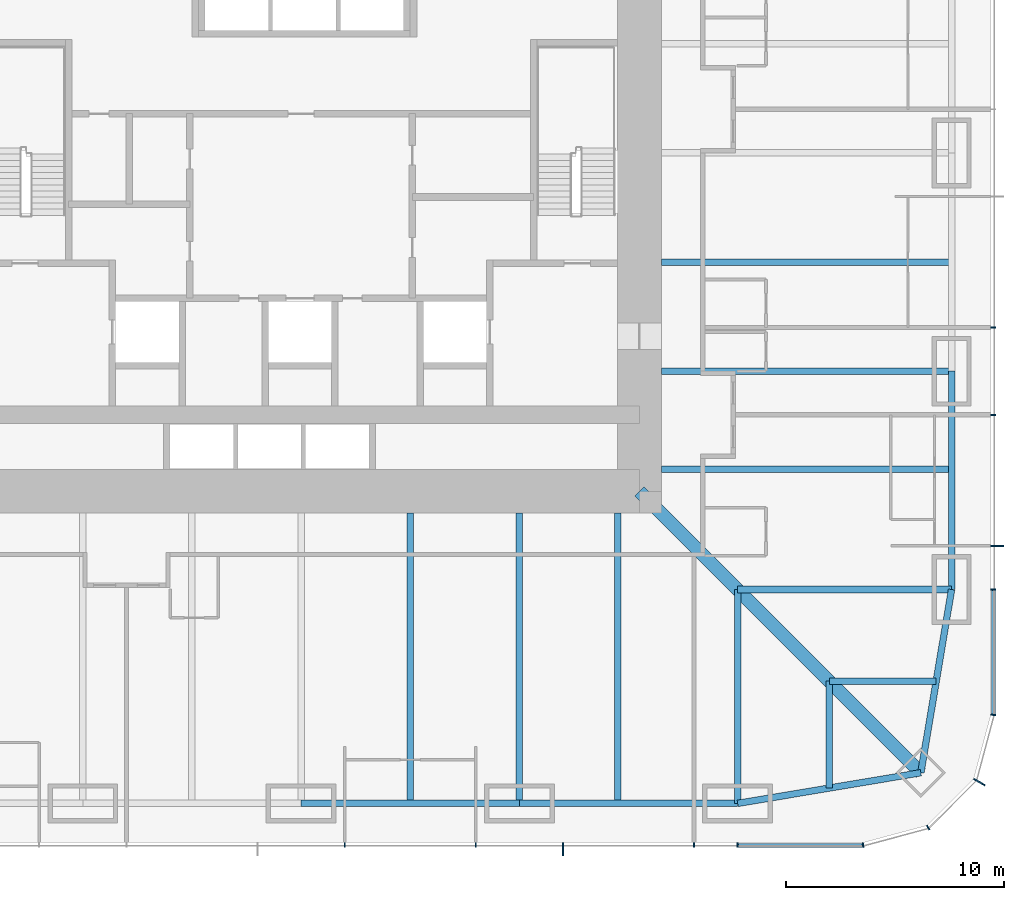
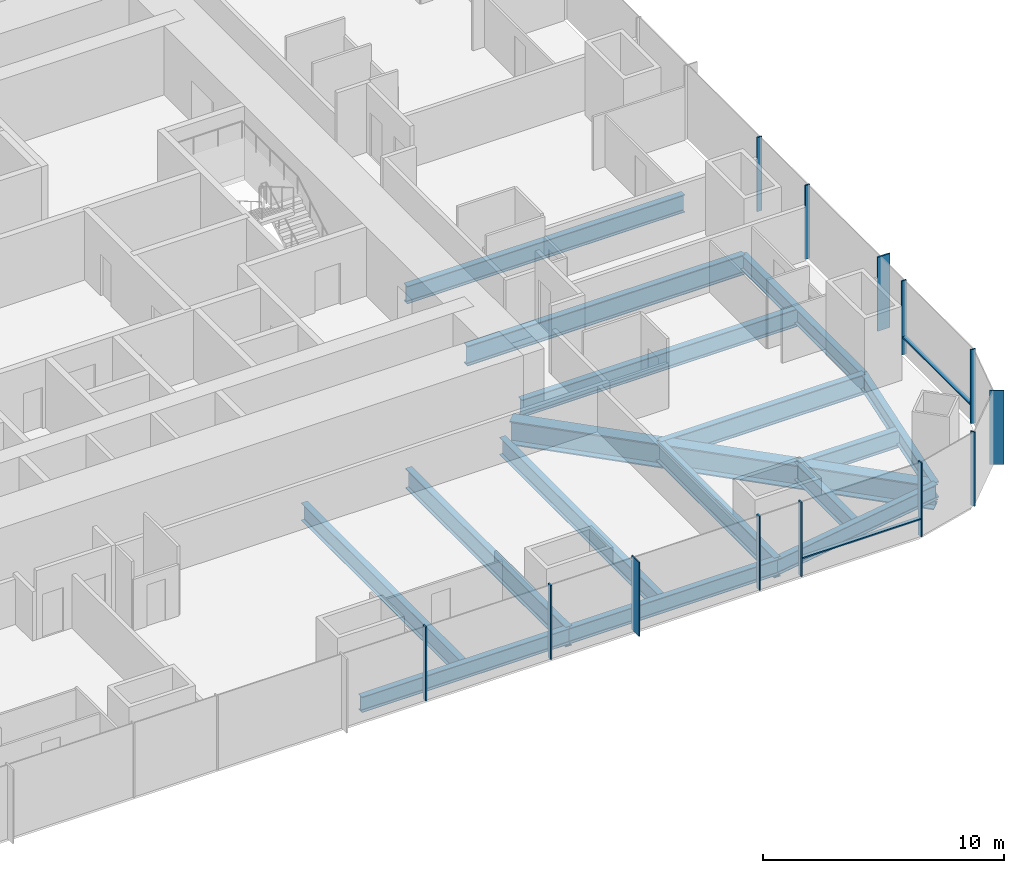
# One storey, part 4 of 17: 16 beams, 15 members, 3 elements without a shape of their own.
"""IFC4 building model written with IfcOpenShell, lengths in metres."""

from ifc_helpers import new_model, si_unit, direction, frame, origin, origin_2d, place, context, subcontext, project, spatial, rectangle, i_section, extrude, material, material_profile, profile_set, type_object, element, aggregate, save


model = new_model("IFC4")

# Units and contexts
model_context = context("Model", 3, precision=1e-05, world=origin(), true_north=direction((0.0, 1.0)))
body_context = subcontext(model_context, "Body", "Model", "MODEL_VIEW")
ifc_project = project(units=[si_unit("LENGTHUNIT", "METRE"), si_unit("AREAUNIT", "SQUARE_METRE"), si_unit("VOLUMEUNIT", "CUBIC_METRE"), si_unit("PLANEANGLEUNIT", "RADIAN"), si_unit("MASSUNIT", "GRAM", prefix="KILO")], contexts=[model_context])

# Site, building, storey
site_placement = place(None, origin())
site = spatial("IfcSite", under=ifc_project, at=site_placement, CompositionType="ELEMENT")
building_placement = place(site_placement, origin())
building = spatial("IfcBuilding", under=site, at=building_placement, Name="Khuree Lantern Residences", CompositionType="ELEMENT")
storey_placement = place(building_placement, frame((0.0, 0.0, 43.5)))
storey = spatial("IfcBuildingStorey", under=building, at=storey_placement, Name="L10", CompositionType="ELEMENT", Elevation=43.5)

# Beams
ifc_material_1 = material(Name="Steel S355", Category="steel")
ifc_material_profile_1 = material_profile(ifc_material_1, i_section(OverallWidth=0.300048828125, OverallDepth=0.889892578125, WebThickness=0.01611328125, FlangeThickness=0.030029296875, FilletRadius=0.030029296875, at=origin_2d()), Name="HE 900 A")
ifc_profile_set_1 = profile_set([ifc_material_profile_1], Name="Steel S355")
beam_type_1 = type_object("IfcBeamType", Name="B-12 SECONDARY BEAM HE 900 A", PredefinedType="BEAM", material=ifc_profile_set_1)
for number, where, z_axis, x_axis, name in (
    (1, (29.800048828125, -5.0, -0.695068359375), (-1.0, 0.0, 0.0), (0.0, -1.0, 0.0), "Secondary beam E4"),
    (2, (29.800048828125, -14.5, -0.695068359375), (-1.0, 0.0, 0.0), (0.0, -1.0, 0.0), "Secondary beam E5"),
):
    element("IfcBeam", number, at=place(storey_placement, frame(where, z_axis=z_axis, x_axis=x_axis)), inside=storey, type_object=beam_type_1, Name=name, PredefinedType="BEAM", context=body_context, shape_type="SweptSolid", body=[
        extrude(i_section(OverallWidth=0.300048828125, OverallDepth=0.889892578125, WebThickness=0.01611328125, FlangeThickness=0.030029296875, FilletRadius=0.030029296875, at=origin_2d()), origin(), (0.0, 0.0, 1.0), 13.300048828125),
    ])
for number, where, z_axis, x_axis, name in (
    (3, (29.09716796875, -24.197021484375, -0.695068359375), (-1.0, 0.0, 0.0), (0.0, -1.0, 0.0), "Secondary beam E6"),
    (4, (24.197021484375, -29.09716796875, -0.695068359375), (0.0, 1.0, 0.0), (-1.0, 0.0, 0.0), "Secondary beam S1"),
):
    element("IfcBeam", number, at=place(storey_placement, frame(where, z_axis=z_axis, x_axis=x_axis)), inside=storey, type_object=beam_type_1, Name=name, PredefinedType="BEAM", context=body_context, shape_type="SweptSolid", body=[
        extrude(i_section(OverallWidth=0.300048828125, OverallDepth=0.889892578125, WebThickness=0.01611328125, FlangeThickness=0.030029296875, FilletRadius=0.030029296875, at=origin_2d()), origin(), (0.0, 0.0, 1.0), 4.900146484375),
    ])
for number, where, z_axis, x_axis, name in (
    (5, (14.5, -29.800048828125, -0.695068359375), (0.0, 1.0, 0.0), (-1.0, 0.0, 0.0), "Secondary beam S2"),
    (6, (5.0, -29.800048828125, -0.695068359375), (0.0, 1.0, 0.0), (-1.0, 0.0, 0.0), "Secondary beam S3"),
):
    element("IfcBeam", number, at=place(storey_placement, frame(where, z_axis=z_axis, x_axis=x_axis)), inside=storey, type_object=beam_type_1, Name=name, PredefinedType="BEAM", context=body_context, shape_type="SweptSolid", body=[
        extrude(i_section(OverallWidth=0.300048828125, OverallDepth=0.889892578125, WebThickness=0.01611328125, FlangeThickness=0.030029296875, FilletRadius=0.030029296875, at=origin_2d()), origin(), (0.0, 0.0, 1.0), 13.300048828125),
    ])
ifc_material_profile_2 = material_profile(ifc_material_1, i_section(OverallWidth=0.300048828125, OverallDepth=0.7900390625, WebThickness=0.014892578125, FlangeThickness=0.028076171875, FilletRadius=0.030029296875, at=origin_2d()), Name="HE 800 A")
ifc_profile_set_2 = profile_set([ifc_material_profile_2], Name="Steel S355")
beam_type_2 = type_object("IfcBeamType", Name="E-12 SPANDREL BEAM HE 800 A", PredefinedType="SPANDREL", material=ifc_profile_set_2)
beam_1_placement = place(storey_placement, frame((29.800048828125, -10.0, -0.64501953125), z_axis=(0.0, -1.0, 0.0), x_axis=(1.0, 0.0, 0.0)))
element("IfcBeam", 7, at=beam_1_placement, inside=storey, type_object=beam_type_2, Name="Spandrel beam E5", PredefinedType="SPANDREL", context=body_context, shape_type="SweptSolid", body=[
    extrude(i_section(OverallWidth=0.300048828125, OverallDepth=0.7900390625, WebThickness=0.014892578125, FlangeThickness=0.028076171875, FilletRadius=0.030029296875, at=origin_2d()), origin(), (0.0, 0.0, 1.0), 10.0),
])
for number, where, z_axis, x_axis, name in (
    (8, (29.800048828125, -20.0, -0.64501953125), (-0.165199022349, -0.986260251158, 0.0), (0.986260251158, -0.165199022349, 0.0), "Spandrel beam E6"),
    (9, (28.39404296875, -28.39404296875, -0.64501953125), (-0.986260251158, -0.165199022349, 0.0), (0.165199022349, -0.986260251158, 0.0), "Spandrel beam S1"),
):
    element("IfcBeam", number, at=place(storey_placement, frame(where, z_axis=z_axis, x_axis=x_axis)), inside=storey, type_object=beam_type_2, Name=name, PredefinedType="SPANDREL", context=body_context, shape_type="SweptSolid", body=[
        extrude(i_section(OverallWidth=0.300048828125, OverallDepth=0.7900390625, WebThickness=0.014892578125, FlangeThickness=0.028076171875, FilletRadius=0.030029296875, at=origin_2d()), origin(), (0.0, 0.0, 1.0), 8.510986328125),
    ])
for number, where, z_axis, x_axis, name in (
    (10, (20.0, -29.800048828125, -0.64501953125), (-1.0, 0.0, 0.0), (0.0, -1.0, 0.0), "Spandrel beam S2"),
    (11, (10.0, -29.800048828125, -0.64501953125), (-1.0, 0.0, 0.0), (0.0, -1.0, 0.0), "Spandrel beam S3"),
):
    element("IfcBeam", number, at=place(storey_placement, frame(where, z_axis=z_axis, x_axis=x_axis)), inside=storey, type_object=beam_type_2, Name=name, PredefinedType="SPANDREL", context=body_context, shape_type="SweptSolid", body=[
        extrude(i_section(OverallWidth=0.300048828125, OverallDepth=0.7900390625, WebThickness=0.014892578125, FlangeThickness=0.028076171875, FilletRadius=0.030029296875, at=origin_2d()), origin(), (0.0, 0.0, 1.0), 10.0),
    ])

# Curtain wall, member
ifc_material_2 = material(Name="Bronze anodised aluminium", Category="aluminium")
curtain_wall_type_1 = type_object("IfcCurtainWallType", Name="CW-T2 TOWER CORNER CURTAIN WALL", PredefinedType="USERDEFINED", material=ifc_material_2)
curtain_wall_1_placement = place(storey_placement, origin())
curtain_wall_1 = element("IfcCurtainWall", 12, at=curtain_wall_1_placement, inside=storey, type_object=curtain_wall_type_1, Name="L10 SOUTH-EAST CORNER CURTAIN WALL", ObjectType="Faceted corner curtain wall", PredefinedType="USERDEFINED")
ifc_material_profile_3 = material_profile(ifc_material_2, rectangle(XDim=0.06494140625, YDim=0.60009765625, at=origin_2d()), Name="F1 65X600")
ifc_profile_set_3 = profile_set([ifc_material_profile_3], Name="Bronze anodised aluminium")
member_type_1 = type_object("IfcMemberType", Name="F1 BRONZE FIN MULLION TOWER 65X600", PredefinedType="MULLION", material=ifc_profile_set_3)
member_1_placement = place(storey_placement, frame((31.076171875, -28.824951171875, 0.0), z_axis=(0.0, 0.0, 1.0), x_axis=(0.500000056923, 0.86602537092, 0.0)))
member_1 = element("IfcMember", 13, at=member_1_placement, type_object=member_type_1, Name="L10 SOUTH-EAST CORNER FIN MULLION 3", PredefinedType="MULLION", context=body_context, shape_type="SweptSolid", body=[
    extrude(rectangle(XDim=0.06494140625, YDim=0.60009765625, at=origin_2d()), origin(), (0.0, 0.0, 1.0), 3.75),
])

curtain_wall_type_2 = type_object("IfcCurtainWallType", Name="CW-T1 TOWER FACE CURTAIN WALL", PredefinedType="USERDEFINED", material=ifc_material_2)
curtain_wall_2_placement = place(storey_placement, origin())
curtain_wall_2 = element("IfcCurtainWall", 14, at=curtain_wall_2_placement, inside=storey, type_object=curtain_wall_type_2, Name="L10 EAST FACE CURTAIN WALL", ObjectType="Stick-built curtain wall", PredefinedType="USERDEFINED")
member_2_placement = place(storey_placement, frame((31.89990234375, -18.0, 0.0), z_axis=(0.0, 0.0, 1.0), x_axis=(0.0, 1.0, 0.0)))
member_2 = element("IfcMember", 15, at=member_2_placement, type_object=member_type_1, Name="L10 EAST FACE FIN MULLION 6", PredefinedType="MULLION", context=body_context, shape_type="SweptSolid", body=[
    extrude(rectangle(XDim=0.06494140625, YDim=0.60009765625, at=origin_2d()), origin(), (0.0, 0.0, 1.0), 3.75),
])

curtain_wall_3_placement = place(storey_placement, origin())
curtain_wall_3 = element("IfcCurtainWall", 16, at=curtain_wall_3_placement, inside=storey, type_object=curtain_wall_type_2, Name="L10 SOUTH FACE CURTAIN WALL", ObjectType="Stick-built curtain wall", PredefinedType="USERDEFINED")
member_3_placement = place(storey_placement, frame((12.0, -31.89990234375, 0.0), z_axis=(0.0, 0.0, 1.0), x_axis=(1.0, 0.0, 0.0)))
member_3 = element("IfcMember", 17, at=member_3_placement, type_object=member_type_1, Name="L10 SOUTH FACE FIN MULLION 54", PredefinedType="MULLION", context=body_context, shape_type="SweptSolid", body=[
    extrude(rectangle(XDim=0.06494140625, YDim=0.60009765625, at=origin_2d()), origin(), (0.0, 0.0, 1.0), 3.75),
])

# Beams
ifc_material_profile_4 = material_profile(ifc_material_1, i_section(OverallWidth=0.302001953125, OverallDepth=1.008056640625, WebThickness=0.02099609375, FlangeThickness=0.0400390625, FilletRadius=0.030029296875, at=origin_2d()), Name="HE 1000 M")
ifc_profile_set_4 = profile_set([ifc_material_profile_4], Name="Steel S355")
beam_type_3 = type_object("IfcBeamType", Name="G-12 GIRDER HE 1000 M", PredefinedType="BEAM", material=ifc_profile_set_4)
beam_2_placement = place(storey_placement, frame((29.800048828125, -10.0, -0.75390625), z_axis=(-1.0, 0.0, 0.0), x_axis=(0.0, -1.0, 0.0)))
element("IfcBeam", 18, at=beam_2_placement, inside=storey, type_object=beam_type_3, Name="Girder E4", PredefinedType="BEAM", context=body_context, shape_type="SweptSolid", body=[
    extrude(i_section(OverallWidth=0.302001953125, OverallDepth=1.008056640625, WebThickness=0.02099609375, FlangeThickness=0.0400390625, FilletRadius=0.030029296875, at=origin_2d()), origin(), (0.0, 0.0, 1.0), 13.300048828125),
])
for number, where, z_axis, x_axis, name in (
    (19, (29.800048828125, -20.0, -0.75390625), (-1.0, 0.0, 0.0), (0.0, -1.0, 0.0), "Girder E5"),
    (20, (20.0, -29.800048828125, -0.75390625), (0.0, 1.0, 0.0), (-1.0, 0.0, 0.0), "Girder S1"),
):
    element("IfcBeam", number, at=place(storey_placement, frame(where, z_axis=z_axis, x_axis=x_axis)), inside=storey, type_object=beam_type_3, Name=name, PredefinedType="BEAM", context=body_context, shape_type="SweptSolid", body=[
        extrude(i_section(OverallWidth=0.302001953125, OverallDepth=1.008056640625, WebThickness=0.02099609375, FlangeThickness=0.0400390625, FilletRadius=0.030029296875, at=origin_2d()), origin(), (0.0, 0.0, 1.0), 9.800048828125),
    ])
beam_3_placement = place(storey_placement, frame((10.0, -29.800048828125, -0.75390625), z_axis=(0.0, 1.0, 0.0), x_axis=(-1.0, 0.0, 0.0)))
element("IfcBeam", 21, at=beam_3_placement, inside=storey, type_object=beam_type_3, Name="Girder S2", PredefinedType="BEAM", context=body_context, shape_type="SweptSolid", body=[
    extrude(i_section(OverallWidth=0.302001953125, OverallDepth=1.008056640625, WebThickness=0.02099609375, FlangeThickness=0.0400390625, FilletRadius=0.030029296875, at=origin_2d()), origin(), (0.0, 0.0, 1.0), 13.300048828125),
])
ifc_material_profile_5 = material_profile(ifc_material_1, i_section(OverallWidth=0.60009765625, OverallDepth=1.199951171875, WebThickness=0.030029296875, FlangeThickness=0.06005859375, at=origin_2d()), Name="WELDED I 1200X600X30X60")
ifc_profile_set_5 = profile_set([ifc_material_profile_5], Name="Steel S355")
beam_type_4 = type_object("IfcBeamType", Name="GD-12 CORNER GIRDER WELDED I 1200X600X30X60", PredefinedType="BEAM", material=ifc_profile_set_5)
beam_4_placement = place(storey_placement, frame((28.39404296875, -28.39404296875, -0.85009765625), z_axis=(-0.707106781187, 0.707106781187, 0.0), x_axis=(-0.707106781187, -0.707106781187, 0.0)))
element("IfcBeam", 22, at=beam_4_placement, inside=storey, type_object=beam_type_4, Name="Corner girder SE", PredefinedType="BEAM", context=body_context, shape_type="SweptSolid", body=[
    extrude(i_section(OverallWidth=0.60009765625, OverallDepth=1.199951171875, WebThickness=0.030029296875, FlangeThickness=0.06005859375, at=origin_2d()), origin(), (0.0, 0.0, 1.0), 18.23486328125),
])

# Member
ifc_material_profile_6 = material_profile(ifc_material_2, rectangle(XDim=0.06494140625, YDim=0.219970703125, at=origin_2d()), Name="M1 65X220")
ifc_profile_set_6 = profile_set([ifc_material_profile_6], Name="Bronze anodised aluminium")
member_type_2 = type_object("IfcMemberType", Name="M1 BRONZE MULLION TOWER 65X220", PredefinedType="MULLION", material=ifc_profile_set_6)
member_4_placement = place(storey_placement, frame((25.744873046875, -31.711669921875, 0.0), z_axis=(0.0, 0.0, 1.0), x_axis=(0.991444852794, 0.130526257387, 0.0)))
member_4 = element("IfcMember", 23, at=member_4_placement, type_object=member_type_2, Name="L10 SOUTH-EAST CORNER MULLION 1", PredefinedType="MULLION", context=body_context, shape_type="SweptSolid", body=[
    extrude(rectangle(XDim=0.06494140625, YDim=0.219970703125, at=origin_2d()), origin(), (0.0, 0.0, 1.0), 3.75),
])

member_5_placement = place(storey_placement, frame((28.72998046875, -30.91162109375, 0.0), z_axis=(0.0, 0.0, 1.0), x_axis=(0.86602537092, 0.500000056923, 0.0)))
member_5 = element("IfcMember", 24, at=member_5_placement, type_object=member_type_2, Name="L10 SOUTH-EAST CORNER MULLION 2", PredefinedType="MULLION", context=body_context, shape_type="SweptSolid", body=[
    extrude(rectangle(XDim=0.06494140625, YDim=0.219970703125, at=origin_2d()), origin(), (0.0, 0.0, 1.0), 3.75),
])

aggregate(curtain_wall_1, [member_4, member_5, member_1])

member_6_placement = place(storey_placement, frame((31.711669921875, -25.744873046875, 0.0), z_axis=(0.0, 0.0, 1.0), x_axis=(0.130526257387, 0.991444852794, 0.0)))
member_6 = element("IfcMember", 25, at=member_6_placement, type_object=member_type_2, Name="L10 EAST FACE MULLION 4", PredefinedType="MULLION", context=body_context, shape_type="SweptSolid", body=[
    extrude(rectangle(XDim=0.06494140625, YDim=0.219970703125, at=origin_2d()), origin(), (0.0, 0.0, 1.0), 3.75),
])

member_7_placement = place(storey_placement, frame((31.7099609375, -20.0, 0.0), z_axis=(0.0, 0.0, 1.0), x_axis=(0.0, 1.0, 0.0)))
member_7 = element("IfcMember", 26, at=member_7_placement, type_object=member_type_2, Name="L10 EAST FACE MULLION 5", PredefinedType="MULLION", context=body_context, shape_type="SweptSolid", body=[
    extrude(rectangle(XDim=0.06494140625, YDim=0.219970703125, at=origin_2d()), origin(), (0.0, 0.0, 1.0), 3.75),
])

member_8_placement = place(storey_placement, frame((31.7099609375, -12.0, 0.0), z_axis=(0.0, 0.0, 1.0), x_axis=(0.0, 1.0, 0.0)))
member_8 = element("IfcMember", 27, at=member_8_placement, type_object=member_type_2, Name="L10 EAST FACE MULLION 7", PredefinedType="MULLION", context=body_context, shape_type="SweptSolid", body=[
    extrude(rectangle(XDim=0.06494140625, YDim=0.219970703125, at=origin_2d()), origin(), (0.0, 0.0, 1.0), 3.75),
])

member_9_placement = place(storey_placement, frame((31.7099609375, -8.0, 0.0), z_axis=(0.0, 0.0, 1.0), x_axis=(0.0, 1.0, 0.0)))
member_9 = element("IfcMember", 28, at=member_9_placement, type_object=member_type_2, Name="L10 EAST FACE MULLION 8", PredefinedType="MULLION", context=body_context, shape_type="SweptSolid", body=[
    extrude(rectangle(XDim=0.06494140625, YDim=0.219970703125, at=origin_2d()), origin(), (0.0, 0.0, 1.0), 3.75),
])

member_10_placement = place(storey_placement, frame((2.0, -31.7099609375, 0.0), z_axis=(0.0, 0.0, 1.0), x_axis=(1.0, 0.0, 0.0)))
member_10 = element("IfcMember", 29, at=member_10_placement, type_object=member_type_2, Name="L10 SOUTH FACE MULLION 52", PredefinedType="MULLION", context=body_context, shape_type="SweptSolid", body=[
    extrude(rectangle(XDim=0.06494140625, YDim=0.219970703125, at=origin_2d()), origin(), (0.0, 0.0, 1.0), 3.75),
])

member_11_placement = place(storey_placement, frame((8.0, -31.7099609375, 0.0), z_axis=(0.0, 0.0, 1.0), x_axis=(1.0, 0.0, 0.0)))
member_11 = element("IfcMember", 30, at=member_11_placement, type_object=member_type_2, Name="L10 SOUTH FACE MULLION 53", PredefinedType="MULLION", context=body_context, shape_type="SweptSolid", body=[
    extrude(rectangle(XDim=0.06494140625, YDim=0.219970703125, at=origin_2d()), origin(), (0.0, 0.0, 1.0), 3.75),
])

member_12_placement = place(storey_placement, frame((18.0, -31.7099609375, 0.0), z_axis=(0.0, 0.0, 1.0), x_axis=(1.0, 0.0, 0.0)))
member_12 = element("IfcMember", 31, at=member_12_placement, type_object=member_type_2, Name="L10 SOUTH FACE MULLION 55", PredefinedType="MULLION", context=body_context, shape_type="SweptSolid", body=[
    extrude(rectangle(XDim=0.06494140625, YDim=0.219970703125, at=origin_2d()), origin(), (0.0, 0.0, 1.0), 3.75),
])

member_13_placement = place(storey_placement, frame((20.0, -31.7099609375, 0.0), z_axis=(0.0, 0.0, 1.0), x_axis=(1.0, 0.0, 0.0)))
member_13 = element("IfcMember", 32, at=member_13_placement, type_object=member_type_2, Name="L10 SOUTH FACE MULLION 56", PredefinedType="MULLION", context=body_context, shape_type="SweptSolid", body=[
    extrude(rectangle(XDim=0.06494140625, YDim=0.219970703125, at=origin_2d()), origin(), (0.0, 0.0, 1.0), 3.75),
])

ifc_material_profile_7 = material_profile(ifc_material_2, rectangle(XDim=0.179931640625, YDim=0.06494140625, at=origin_2d()), Name="T1 180X65")
ifc_profile_set_7 = profile_set([ifc_material_profile_7], Name="Bronze anodised aluminium")
member_type_3 = type_object("IfcMemberType", Name="TRANSOM T1 TOWER 180X65", PredefinedType="USERDEFINED", material=ifc_profile_set_7)
member_14_placement = place(storey_placement, frame((31.719970703125, -25.701416015625, 0.89990234375), z_axis=(0.0, 1.0, 0.0), x_axis=(-1.0, 0.0, 0.0)))
member_14 = element("IfcMember", 33, at=member_14_placement, type_object=member_type_3, Name="L10 EAST FACE TRANSOM 4.1", ObjectType="Transom", PredefinedType="USERDEFINED", context=body_context, shape_type="SweptSolid", body=[
    extrude(rectangle(XDim=0.179931640625, YDim=0.06494140625, at=origin_2d()), origin(), (0.0, 0.0, 1.0), 5.6689453125),
])

aggregate(curtain_wall_2, [member_6, member_7, member_2, member_8, member_9, member_14])

member_15_placement = place(storey_placement, frame((20.032470703125, -31.719970703125, 0.89990234375), z_axis=(1.0, 0.0, 0.0), x_axis=(0.0, 1.0, 0.0)))
member_15 = element("IfcMember", 34, at=member_15_placement, type_object=member_type_3, Name="L10 SOUTH FACE TRANSOM 56.1", ObjectType="Transom", PredefinedType="USERDEFINED", context=body_context, shape_type="SweptSolid", body=[
    extrude(rectangle(XDim=0.179931640625, YDim=0.06494140625, at=origin_2d()), origin(), (0.0, 0.0, 1.0), 5.6689453125),
])

aggregate(curtain_wall_3, [member_10, member_11, member_3, member_12, member_13, member_15])

save(model, "model.ifc")
